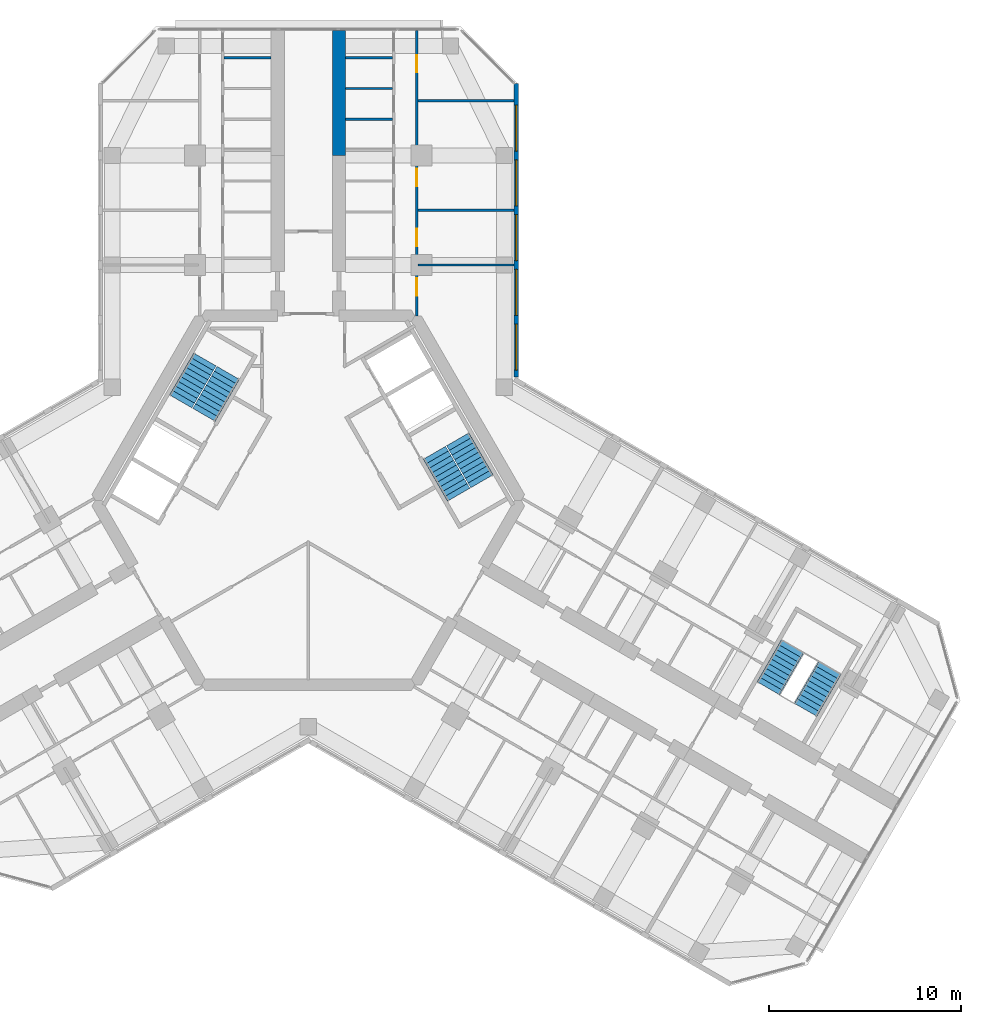
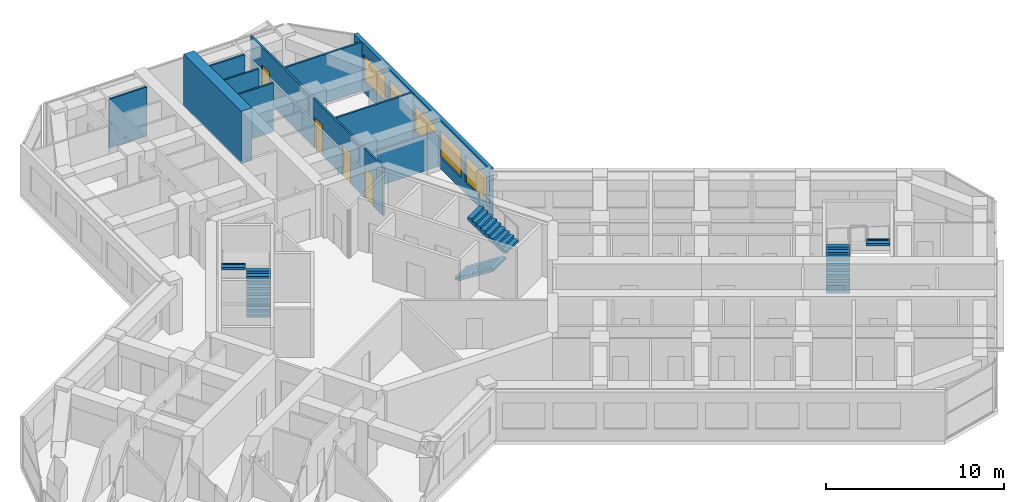
# One storey, part 15 of 16: 10 walls, 6 stair flights, 5 windows, 4 doors, 9 openings, 3 elements without a shape of their own.
"""IFC4 building model written with IfcOpenShell, lengths in metres."""

from ifc_helpers import new_model, si_unit, direction, frame, frame_2d, origin, place, context, subcontext, project, spatial, polyline, rectangle, outline, extrude, material, layer, layer_set, type_object, element, fill, aggregate, save


model = new_model("IFC4")

# Units and contexts
model_context = context("Model", 3, precision=1e-05, world=origin(), true_north=direction((0.0, 1.0)))
body_context = subcontext(model_context, "Body", "Model", "MODEL_VIEW")
ifc_project = project(units=[si_unit("LENGTHUNIT", "METRE"), si_unit("AREAUNIT", "SQUARE_METRE"), si_unit("VOLUMEUNIT", "CUBIC_METRE"), si_unit("PLANEANGLEUNIT", "RADIAN"), si_unit("MASSUNIT", "GRAM", prefix="KILO")], contexts=[model_context])

# Site, building, storey
site_placement = place(None, origin())
site = spatial("IfcSite", under=ifc_project, at=site_placement, CompositionType="ELEMENT")
building_placement = place(site_placement, origin())
building = spatial("IfcBuilding", under=site, at=building_placement, Name="Kosmar Iwan School Tower", CompositionType="ELEMENT")
storey_placement = place(building_placement, frame((0.0, 0.0, 235.199951171875)))
storey = spatial("IfcBuildingStorey", under=building, at=storey_placement, Name="L59", CompositionType="ELEMENT", Elevation=235.199951171875)

# Walls
ifc_material_1 = material(Name="Concrete C50/60", Category="concrete")
ifc_layer_1 = layer(ifc_material_1, 0.699951171875)
ifc_layer_set_1 = layer_set([ifc_layer_1], Name="Corridor buttress wall 700")
wall_type_1 = type_object("IfcWallType", Name="Corridor buttress wall 700", PredefinedType="SHEAR", material=ifc_layer_set_1)
wall_1_placement = place(storey_placement, frame((1.60009765625, 17.949951171875, 0.0), z_axis=(0.0, 0.0, 1.0), x_axis=(0.0, 1.0, 0.0)))
element("IfcWall", 1, at=wall_1_placement, inside=storey, type_object=wall_type_1, Name="Corridor wall AR bay 2", PredefinedType="SHEAR", context=body_context, shape_type="SweptSolid", body=[
    extrude(rectangle(XDim=6.4951171875, YDim=0.699951171875, at=frame_2d((3.24755859375, 0.0))), origin(), (0.0, 0.0, 1.0), 3.60009765625),
])
ifc_material_2 = material(Name="Gypsum board on steel studs", Category="steel")
ifc_layer_2 = layer(ifc_material_2, 0.1201171875)
ifc_layer_set_2 = layer_set([ifc_layer_2], Name="Dwelling partition 120")
wall_type_2 = type_object("IfcWallType", Name="Dwelling partition 120", PredefinedType="PARTITIONING", material=ifc_layer_set_2)
wall_2_placement = place(storey_placement, frame((-1.949951171875, 23.043212890625, 0.0), z_axis=(0.0, 0.0, 1.0), x_axis=(-1.0, 0.0, 0.0)))
element("IfcWall", 2, at=wall_2_placement, inside=storey, type_object=wall_type_2, Name="Partition L59-AL1-Y7", PredefinedType="PARTITIONING", context=body_context, shape_type="SweptSolid", body=[
    extrude(rectangle(XDim=2.43994140625, YDim=0.1201171875, at=frame_2d((1.219970703125, 0.0))), origin(), (0.0, 0.0, 1.0), 3.35009765625),
])

# Wall, openings, doors
wall_3_placement = place(storey_placement, frame((5.64990234375, 9.60009765625, 0.0), z_axis=(0.0, 0.0, 1.0), x_axis=(0.0, 1.0, 0.0)))
wall_3 = element("IfcWall", 3, at=wall_3_placement, inside=storey, type_object=wall_type_2, Name="Partition L59-AR1-W2", PredefinedType="PARTITIONING", context=body_context, shape_type="SweptSolid", body=[
    extrude(rectangle(XDim=14.844970703125, YDim=0.1201171875, at=frame_2d((7.42236328125, 0.0))), origin(), (0.0, 0.0, 1.0), 3.35009765625),
])
opening_1_placement = place(wall_3_placement, frame((1.050048828125, 0.0, 0.0)))
opening_1 = element("IfcOpeningElement", 4, at=opening_1_placement, cuts=wall_3, Name="Opening D2", PredefinedType="OPENING", context=body_context, shape_type="SweptSolid", body=[
    extrude(rectangle(XDim=0.89990234375, YDim=2.10009765625, at=frame_2d((0.449951171875, 1.050048828125))), frame((0.0, 0.072021484375, 0.0), z_axis=(0.0, -1.0, 0.0), x_axis=(1.0, 0.0, 0.0)), (0.0, 0.0, 1.0), 0.14404296875),
])
opening_2_placement = place(wall_3_placement, frame((3.625, 0.0, 0.0)))
opening_2 = element("IfcOpeningElement", 5, at=opening_2_placement, cuts=wall_3, Name="Opening D2", PredefinedType="OPENING", context=body_context, shape_type="SweptSolid", body=[
    extrude(rectangle(XDim=0.89990234375, YDim=2.10009765625, at=frame_2d((0.449951171875, 1.050048828125))), frame((0.0, 0.072021484375, 0.0), z_axis=(0.0, -1.0, 0.0), x_axis=(1.0, 0.0, 0.0)), (0.0, 0.0, 1.0), 0.14404296875),
])
opening_3_placement = place(wall_3_placement, frame((6.75, 0.0, 0.0)))
opening_3 = element("IfcOpeningElement", 6, at=opening_3_placement, cuts=wall_3, Name="Opening D2", PredefinedType="OPENING", context=body_context, shape_type="SweptSolid", body=[
    extrude(rectangle(XDim=0.89990234375, YDim=2.10009765625, at=frame_2d((0.449951171875, 1.050048828125))), frame((0.0, 0.072021484375, 0.0), z_axis=(0.0, -1.0, 0.0), x_axis=(1.0, 0.0, 0.0)), (0.0, 0.0, 1.0), 0.14404296875),
])
opening_4_placement = place(wall_3_placement, frame((12.675048828125, 0.0, 0.0)))
opening_4 = element("IfcOpeningElement", 7, at=opening_4_placement, cuts=wall_3, Name="Opening D2", PredefinedType="OPENING", context=body_context, shape_type="SweptSolid", body=[
    extrude(rectangle(XDim=0.89990234375, YDim=2.10009765625, at=frame_2d((0.449951171875, 1.050048828125))), frame((0.0, 0.072021484375, 0.0), z_axis=(0.0, -1.0, 0.0), x_axis=(1.0, 0.0, 0.0)), (0.0, 0.0, 1.0), 0.14404296875),
])
ifc_material_3 = material(Name="Timber door in timber frame", Category="wood")
door_type = type_object("IfcDoorType", Name="Internal door 900x2100", OperationType="SINGLE_SWING_LEFT", PredefinedType="DOOR", material=ifc_material_3)
door_1_placement = place(opening_1_placement, origin())
door_1 = element("IfcDoor", 8, at=door_1_placement, inside=storey, type_object=door_type, Name="Bedroom 1 door L59-AR1-F1", OperationType="SINGLE_SWING_LEFT", OverallHeight=2.10009765625, OverallWidth=0.89990234375, PredefinedType="DOOR", context=body_context, shape_type="SweptSolid", body=[
    extrude(rectangle(XDim=0.89990234375, YDim=2.10009765625, at=frame_2d((0.449951171875, 1.050048828125))), frame((0.0, 0.02490234375, 0.0), z_axis=(0.0, -1.0, 0.0), x_axis=(1.0, 0.0, 0.0)), (0.0, 0.0, 1.0), 0.050048828125),
])
fill(opening_1, door_1)
door_2_placement = place(opening_2_placement, origin())
door_2 = element("IfcDoor", 9, at=door_2_placement, inside=storey, type_object=door_type, Name="Study door L59-AR1-F2", OperationType="SINGLE_SWING_LEFT", OverallHeight=2.10009765625, OverallWidth=0.89990234375, PredefinedType="DOOR", context=body_context, shape_type="SweptSolid", body=[
    extrude(rectangle(XDim=0.89990234375, YDim=2.10009765625, at=frame_2d((0.449951171875, 1.050048828125))), frame((0.0, 0.02490234375, 0.0), z_axis=(0.0, -1.0, 0.0), x_axis=(1.0, 0.0, 0.0)), (0.0, 0.0, 1.0), 0.050048828125),
])
fill(opening_2, door_2)
door_3_placement = place(opening_3_placement, origin())
door_3 = element("IfcDoor", 10, at=door_3_placement, inside=storey, type_object=door_type, Name="Living room and kitchen door L59-AR1-F3", OperationType="SINGLE_SWING_LEFT", OverallHeight=2.10009765625, OverallWidth=0.89990234375, PredefinedType="DOOR", context=body_context, shape_type="SweptSolid", body=[
    extrude(rectangle(XDim=0.89990234375, YDim=2.10009765625, at=frame_2d((0.449951171875, 1.050048828125))), frame((0.0, 0.02490234375, 0.0), z_axis=(0.0, -1.0, 0.0), x_axis=(1.0, 0.0, 0.0)), (0.0, 0.0, 1.0), 0.050048828125),
])
fill(opening_3, door_3)
door_4_placement = place(opening_4_placement, origin())
door_4 = element("IfcDoor", 11, at=door_4_placement, inside=storey, type_object=door_type, Name="Grandparents' suite door L59-AR1-F4", OperationType="SINGLE_SWING_RIGHT", OverallHeight=2.10009765625, OverallWidth=0.89990234375, PredefinedType="DOOR", context=body_context, shape_type="SweptSolid", body=[
    extrude(rectangle(XDim=0.89990234375, YDim=2.10009765625, at=frame_2d((0.449951171875, 1.050048828125))), frame((0.0, 0.02490234375, 0.0), z_axis=(0.0, -1.0, 0.0), x_axis=(1.0, 0.0, 0.0)), (0.0, 0.0, 1.0), 0.050048828125),
])
fill(opening_4, door_4)

# Walls
wall_4_placement = place(storey_placement, frame((5.7099609375, 12.25, 0.0), z_axis=(0.0, 0.0, 1.0), x_axis=(1.0, 0.0, 0.0)))
element("IfcWall", 12, at=wall_4_placement, inside=storey, type_object=wall_type_2, Name="Partition L59-AR1-X1", PredefinedType="PARTITIONING", context=body_context, shape_type="SweptSolid", body=[
    extrude(rectangle(XDim=4.989990234375, YDim=0.1201171875, at=frame_2d((2.4951171875, 0.0))), origin(), (0.0, 0.0, 1.0), 2.449951171875),
])
for number, where, z_axis, x_axis, name in (
    (13, (5.7099609375, 15.10009765625, 0.0), (0.0, 0.0, 1.0), (1.0, 0.0, 0.0), "Partition L59-AR1-X2"),
    (14, (5.7099609375, 20.800048828125, 0.0), (0.0, 0.0, 1.0), (1.0, 0.0, 0.0), "Partition L59-AR1-X3"),
):
    element("IfcWall", number, at=place(storey_placement, frame(where, z_axis=z_axis, x_axis=x_axis)), inside=storey, type_object=wall_type_2, Name=name, PredefinedType="PARTITIONING", context=body_context, shape_type="SweptSolid", body=[
        extrude(rectangle(XDim=4.989990234375, YDim=0.1201171875, at=frame_2d((2.4951171875, 0.0))), origin(), (0.0, 0.0, 1.0), 3.35009765625),
    ])
for number, where, z_axis, x_axis, name in (
    (15, (1.949951171875, 19.830078125, 0.0), (0.0, 0.0, 1.0), (1.0, 0.0, 0.0), "Partition L59-AR1-Y5"),
    (16, (1.949951171875, 21.436767578125, 0.0), (0.0, 0.0, 1.0), (1.0, 0.0, 0.0), "Partition L59-AR1-Y6"),
    (17, (1.949951171875, 23.043212890625, 0.0), (0.0, 0.0, 1.0), (1.0, 0.0, 0.0), "Partition L59-AR1-Y7"),
):
    element("IfcWall", number, at=place(storey_placement, frame(where, z_axis=z_axis, x_axis=x_axis)), inside=storey, type_object=wall_type_2, Name=name, PredefinedType="PARTITIONING", context=body_context, shape_type="SweptSolid", body=[
        extrude(rectangle(XDim=2.43994140625, YDim=0.1201171875, at=frame_2d((1.219970703125, 0.0))), origin(), (0.0, 0.0, 1.0), 3.35009765625),
    ])

# Wall, openings, windows
ifc_material_4 = material(Name="Black aluminium rainscreen on insulated framing", Category="aluminium")
ifc_layer_3 = layer(ifc_material_4, 0.25)
ifc_layer_set_3 = layer_set([ifc_layer_3], Name="External wall rainscreen 250")
wall_type_3 = type_object("IfcWallType", Name="External wall rainscreen 250", PredefinedType="SOLIDWALL", material=ifc_layer_set_3)
wall_5_placement = place(storey_placement, frame((10.824951171875, 6.408935546875, 0.0), z_axis=(0.0, 0.0, 1.0), x_axis=(0.0, 1.0, 0.0)))
wall_5 = element("IfcWall", 18, at=wall_5_placement, inside=storey, type_object=wall_type_3, Name="External wall AR L59", PredefinedType="SOLIDWALL", context=body_context, shape_type="SweptSolid", body=[
    extrude(rectangle(XDim=15.2763671875, YDim=0.25, at=frame_2d((7.63818359375, 0.0))), origin(), (0.0, 0.0, 1.0), 3.35009765625),
])
opening_5_placement = place(wall_5_placement, frame((0.365966796875, 0.0, 0.800048828125)))
opening_5 = element("IfcOpeningElement", 19, at=opening_5_placement, cuts=wall_5, Name="Opening W5", PredefinedType="OPENING", context=body_context, shape_type="SweptSolid", body=[
    extrude(rectangle(XDim=2.39990234375, YDim=1.800048828125, at=frame_2d((1.199951171875, 0.89990234375))), frame((0.0, 0.136962890625, 0.0), z_axis=(0.0, -1.0, 0.0), x_axis=(1.0, 0.0, 0.0)), (0.0, 0.0, 1.0), 0.27392578125),
])
opening_6_placement = place(wall_5_placement, frame((3.216064453125, 0.0, 0.800048828125)))
opening_6 = element("IfcOpeningElement", 20, at=opening_6_placement, cuts=wall_5, Name="Opening W5", PredefinedType="OPENING", context=body_context, shape_type="SweptSolid", body=[
    extrude(rectangle(XDim=2.39990234375, YDim=1.800048828125, at=frame_2d((1.199951171875, 0.89990234375))), frame((0.0, 0.136962890625, 0.0), z_axis=(0.0, -1.0, 0.0), x_axis=(1.0, 0.0, 0.0)), (0.0, 0.0, 1.0), 0.27392578125),
])
opening_7_placement = place(wall_5_placement, frame((6.06591796875, 0.0, 0.800048828125)))
opening_7 = element("IfcOpeningElement", 21, at=opening_7_placement, cuts=wall_5, Name="Opening W5", PredefinedType="OPENING", context=body_context, shape_type="SweptSolid", body=[
    extrude(rectangle(XDim=2.39990234375, YDim=1.800048828125, at=frame_2d((1.199951171875, 0.89990234375))), frame((0.0, 0.136962890625, 0.0), z_axis=(0.0, -1.0, 0.0), x_axis=(1.0, 0.0, 0.0)), (0.0, 0.0, 1.0), 0.27392578125),
])
opening_8_placement = place(wall_5_placement, frame((8.916015625, 0.0, 0.800048828125)))
opening_8 = element("IfcOpeningElement", 22, at=opening_8_placement, cuts=wall_5, Name="Opening W5", PredefinedType="OPENING", context=body_context, shape_type="SweptSolid", body=[
    extrude(rectangle(XDim=2.39990234375, YDim=1.800048828125, at=frame_2d((1.199951171875, 0.89990234375))), frame((0.0, 0.136962890625, 0.0), z_axis=(0.0, -1.0, 0.0), x_axis=(1.0, 0.0, 0.0)), (0.0, 0.0, 1.0), 0.27392578125),
])
opening_9_placement = place(wall_5_placement, frame((11.76611328125, 0.0, 0.800048828125)))
opening_9 = element("IfcOpeningElement", 23, at=opening_9_placement, cuts=wall_5, Name="Opening W5", PredefinedType="OPENING", context=body_context, shape_type="SweptSolid", body=[
    extrude(rectangle(XDim=2.39990234375, YDim=1.800048828125, at=frame_2d((1.199951171875, 0.89990234375))), frame((0.0, 0.136962890625, 0.0), z_axis=(0.0, -1.0, 0.0), x_axis=(1.0, 0.0, 0.0)), (0.0, 0.0, 1.0), 0.27392578125),
])
ifc_material_5 = material(Name="Black aluminium frame with dark triple glazing", Category="aluminium")
window_type = type_object("IfcWindowType", Name="Window 2400x1800", PartitioningType="SINGLE_PANEL", PredefinedType="WINDOW", material=ifc_material_5)
window_1_placement = place(opening_5_placement, origin())
window_1 = element("IfcWindow", 24, at=window_1_placement, inside=storey, type_object=window_type, Name="Window AR L59 -1", OverallHeight=1.800048828125, OverallWidth=2.39990234375, PartitioningType="SINGLE_PANEL", PredefinedType="WINDOW", context=body_context, shape_type="SweptSolid", body=[
    extrude(rectangle(XDim=2.39990234375, YDim=1.800048828125, at=frame_2d((1.199951171875, 0.89990234375))), frame((0.0, 0.030029296875, 0.0), z_axis=(0.0, -1.0, 0.0), x_axis=(1.0, 0.0, 0.0)), (0.0, 0.0, 1.0), 0.06005859375),
])
fill(opening_5, window_1)
window_2_placement = place(opening_6_placement, origin())
window_2 = element("IfcWindow", 25, at=window_2_placement, inside=storey, type_object=window_type, Name="Window AR L59 0", OverallHeight=1.800048828125, OverallWidth=2.39990234375, PartitioningType="SINGLE_PANEL", PredefinedType="WINDOW", context=body_context, shape_type="SweptSolid", body=[
    extrude(rectangle(XDim=2.39990234375, YDim=1.800048828125, at=frame_2d((1.199951171875, 0.89990234375))), frame((0.0, 0.030029296875, 0.0), z_axis=(0.0, -1.0, 0.0), x_axis=(1.0, 0.0, 0.0)), (0.0, 0.0, 1.0), 0.06005859375),
])
fill(opening_6, window_2)
window_3_placement = place(opening_7_placement, origin())
window_3 = element("IfcWindow", 26, at=window_3_placement, inside=storey, type_object=window_type, Name="Window AR L59 1", OverallHeight=1.800048828125, OverallWidth=2.39990234375, PartitioningType="SINGLE_PANEL", PredefinedType="WINDOW", context=body_context, shape_type="SweptSolid", body=[
    extrude(rectangle(XDim=2.39990234375, YDim=1.800048828125, at=frame_2d((1.199951171875, 0.89990234375))), frame((0.0, 0.030029296875, 0.0), z_axis=(0.0, -1.0, 0.0), x_axis=(1.0, 0.0, 0.0)), (0.0, 0.0, 1.0), 0.06005859375),
])
fill(opening_7, window_3)
window_4_placement = place(opening_8_placement, origin())
window_4 = element("IfcWindow", 27, at=window_4_placement, inside=storey, type_object=window_type, Name="Window AR L59 2", OverallHeight=1.800048828125, OverallWidth=2.39990234375, PartitioningType="SINGLE_PANEL", PredefinedType="WINDOW", context=body_context, shape_type="SweptSolid", body=[
    extrude(rectangle(XDim=2.39990234375, YDim=1.800048828125, at=frame_2d((1.199951171875, 0.89990234375))), frame((0.0, 0.030029296875, 0.0), z_axis=(0.0, -1.0, 0.0), x_axis=(1.0, 0.0, 0.0)), (0.0, 0.0, 1.0), 0.06005859375),
])
fill(opening_8, window_4)
window_5_placement = place(opening_9_placement, origin())
window_5 = element("IfcWindow", 28, at=window_5_placement, inside=storey, type_object=window_type, Name="Window AR L59 3", OverallHeight=1.800048828125, OverallWidth=2.39990234375, PartitioningType="SINGLE_PANEL", PredefinedType="WINDOW", context=body_context, shape_type="SweptSolid", body=[
    extrude(rectangle(XDim=2.39990234375, YDim=1.800048828125, at=frame_2d((1.199951171875, 0.89990234375))), frame((0.0, 0.030029296875, 0.0), z_axis=(0.0, -1.0, 0.0), x_axis=(1.0, 0.0, 0.0)), (0.0, 0.0, 1.0), 0.06005859375),
])
fill(opening_9, window_5)

# Stair, stair flights
ifc_material_6 = material(Name="Concrete C35/45", Category="concrete")
stair_type_1 = type_object("IfcStairType", Name="Escape stair 3600", PredefinedType="HALF_TURN_STAIR", material=ifc_material_6)
stair_1_placement = place(storey_placement, origin())
stair_1 = element("IfcStair", 29, at=stair_1_placement, inside=storey, type_object=stair_type_1, Name="Stair WS3 L59", PredefinedType="HALF_TURN_STAIR")
ifc_material_7 = material(Name="Concrete C35/45", Category="concrete")
stair_flight_type_1 = type_object("IfcStairFlightType", Name="Escape stair flight 1350", PredefinedType="STRAIGHT", material=ifc_material_7)
stair_flight_1_placement = place(storey_placement, frame((23.94189453125, -9.781494140625, 0.0), z_axis=(0.0, 0.0, 1.0), x_axis=(0.5, 0.866025403784, 0.0)))
stair_flight_1 = element("IfcStairFlight", 30, at=stair_flight_1_placement, type_object=stair_flight_type_1, Name="WS3 flight 1", NumberOfRisers=10, NumberOfTreads=9, PredefinedType="STRAIGHT", RiserHeight=0.18, TreadLength=0.28, context=body_context, shape_type="SweptSolid", body=[
    extrude(outline(polyline([(0.0, 0.0), (0.0, 0.179931640625), (0.280029296875, 0.179931640625), (0.280029296875, 0.360107421875), (0.56005859375, 0.360107421875), (0.56005859375, 0.5400390625), (0.840087890625, 0.5400390625), (0.840087890625, 0.719970703125), (1.1201171875, 0.719970703125), (1.1201171875, 0.89990234375), (1.39990234375, 0.89990234375), (1.39990234375, 1.080078125), (1.679931640625, 1.080078125), (1.679931640625, 1.260009765625), (1.9599609375, 1.260009765625), (1.9599609375, 1.43994140625), (2.239990234375, 1.43994140625), (2.239990234375, 1.6201171875), (2.52001953125, 1.6201171875), (2.52001953125, 1.800048828125), (2.52001953125, 1.44189453125), (0.277099609375, 0.0), (0.0, 0.0)])), frame((0.0, 0.675048828125, 0.0), z_axis=(0.0, -1.0, 0.0), x_axis=(1.0, 0.0, 0.0)), (0.0, 0.0, 1.0), 1.35009765625),
])
stair_flight_2_placement = place(storey_placement, frame((27.150390625, -8.72412109375, 1.800048828125), z_axis=(0.0, 0.0, 1.0), x_axis=(-0.5, -0.866025403784, 0.0)))
stair_flight_2 = element("IfcStairFlight", 31, at=stair_flight_2_placement, type_object=stair_flight_type_1, Name="WS3 flight 2", NumberOfRisers=10, NumberOfTreads=9, PredefinedType="STRAIGHT", RiserHeight=0.18, TreadLength=0.28, context=body_context, shape_type="SweptSolid", body=[
    extrude(outline(polyline([(0.0, 0.0), (0.0, 0.179931640625), (0.280029296875, 0.179931640625), (0.280029296875, 0.360107421875), (0.56005859375, 0.360107421875), (0.56005859375, 0.5400390625), (0.840087890625, 0.5400390625), (0.840087890625, 0.719970703125), (1.1201171875, 0.719970703125), (1.1201171875, 0.89990234375), (1.39990234375, 0.89990234375), (1.39990234375, 1.080078125), (1.679931640625, 1.080078125), (1.679931640625, 1.260009765625), (1.9599609375, 1.260009765625), (1.9599609375, 1.43994140625), (2.239990234375, 1.43994140625), (2.239990234375, 1.6201171875), (2.52001953125, 1.6201171875), (2.52001953125, 1.800048828125), (2.52001953125, 1.44189453125), (0.277099609375, 0.0), (0.0, 0.0)])), frame((0.0, 0.675048828125, 0.0), z_axis=(0.0, -1.0, 0.0), x_axis=(1.0, 0.0, 0.0)), (0.0, 0.0, 1.0), 1.35009765625),
])
aggregate(stair_1, [stair_flight_1, stair_flight_2])

ifc_material_8 = material(Name="Concrete C35/45", Category="concrete")
stair_type_2 = type_object("IfcStairType", Name="Core stair 2750", PredefinedType="HALF_TURN_STAIR", material=ifc_material_8)
stair_2_placement = place(storey_placement, origin())
stair_2 = element("IfcStair", 32, at=stair_2_placement, inside=storey, type_object=stair_type_2, Name="Stair ST2 L59", PredefinedType="HALF_TURN_STAIR")
ifc_material_9 = material(Name="Concrete C35/45", Category="concrete")
stair_flight_type_2 = type_object("IfcStairFlightType", Name="Stair flight 1350", PredefinedType="STRAIGHT", material=ifc_material_9)
stair_flight_3_placement = place(storey_placement, frame((-5.42724609375, 4.44970703125, 0.0), z_axis=(0.0, 0.0, 1.0), x_axis=(0.5, 0.866025403784, 0.0)))
stair_flight_3 = element("IfcStairFlight", 33, at=stair_flight_3_placement, type_object=stair_flight_type_2, Name="ST2 flight 1", NumberOfRisers=10, NumberOfTreads=9, PredefinedType="STRAIGHT", RiserHeight=0.18, TreadLength=0.28, context=body_context, shape_type="SweptSolid", body=[
    extrude(outline(polyline([(0.0, 0.0), (0.0, 0.179931640625), (0.280029296875, 0.179931640625), (0.280029296875, 0.360107421875), (0.56005859375, 0.360107421875), (0.56005859375, 0.5400390625), (0.840087890625, 0.5400390625), (0.840087890625, 0.719970703125), (1.1201171875, 0.719970703125), (1.1201171875, 0.89990234375), (1.39990234375, 0.89990234375), (1.39990234375, 1.080078125), (1.679931640625, 1.080078125), (1.679931640625, 1.260009765625), (1.9599609375, 1.260009765625), (1.9599609375, 1.43994140625), (2.239990234375, 1.43994140625), (2.239990234375, 1.6201171875), (2.52001953125, 1.6201171875), (2.52001953125, 1.800048828125), (2.52001953125, 1.44189453125), (0.277099609375, 0.0), (0.0, 0.0)])), frame((0.0, 0.675048828125, 0.0), z_axis=(0.0, -1.0, 0.0), x_axis=(1.0, 0.0, 0.0)), (0.0, 0.0, 1.0), 1.35009765625),
])
stair_flight_4_placement = place(storey_placement, frame((-5.379638671875, 7.33203125, 1.800048828125), z_axis=(0.0, 0.0, 1.0), x_axis=(-0.5, -0.866025403784, 0.0)))
stair_flight_4 = element("IfcStairFlight", 34, at=stair_flight_4_placement, type_object=stair_flight_type_2, Name="ST2 flight 2", NumberOfRisers=10, NumberOfTreads=9, PredefinedType="STRAIGHT", RiserHeight=0.18, TreadLength=0.28, context=body_context, shape_type="SweptSolid", body=[
    extrude(outline(polyline([(0.0, 0.0), (0.0, 0.179931640625), (0.280029296875, 0.179931640625), (0.280029296875, 0.360107421875), (0.56005859375, 0.360107421875), (0.56005859375, 0.5400390625), (0.840087890625, 0.5400390625), (0.840087890625, 0.719970703125), (1.1201171875, 0.719970703125), (1.1201171875, 0.89990234375), (1.39990234375, 0.89990234375), (1.39990234375, 1.080078125), (1.679931640625, 1.080078125), (1.679931640625, 1.260009765625), (1.9599609375, 1.260009765625), (1.9599609375, 1.43994140625), (2.239990234375, 1.43994140625), (2.239990234375, 1.6201171875), (2.52001953125, 1.6201171875), (2.52001953125, 1.800048828125), (2.52001953125, 1.44189453125), (0.277099609375, 0.0), (0.0, 0.0)])), frame((0.0, 0.675048828125, 0.0), z_axis=(0.0, -1.0, 0.0), x_axis=(1.0, 0.0, 0.0)), (0.0, 0.0, 1.0), 1.35009765625),
])
aggregate(stair_2, [stair_flight_3, stair_flight_4])

stair_3_placement = place(storey_placement, origin())
stair_3 = element("IfcStair", 35, at=stair_3_placement, inside=storey, type_object=stair_type_2, Name="Stair ST1 L59", PredefinedType="HALF_TURN_STAIR")
stair_flight_5_placement = place(storey_placement, frame((6.567138671875, 2.475341796875, 0.0), z_axis=(0.0, 0.0, 1.0), x_axis=(0.5, -0.866025403784, 0.0)))
stair_flight_5 = element("IfcStairFlight", 36, at=stair_flight_5_placement, type_object=stair_flight_type_2, Name="ST1 flight 1", NumberOfRisers=10, NumberOfTreads=9, PredefinedType="STRAIGHT", RiserHeight=0.18, TreadLength=0.28, context=body_context, shape_type="SweptSolid", body=[
    extrude(outline(polyline([(0.0, 0.0), (0.0, 0.179931640625), (0.280029296875, 0.179931640625), (0.280029296875, 0.360107421875), (0.56005859375, 0.360107421875), (0.56005859375, 0.5400390625), (0.840087890625, 0.5400390625), (0.840087890625, 0.719970703125), (1.1201171875, 0.719970703125), (1.1201171875, 0.89990234375), (1.39990234375, 0.89990234375), (1.39990234375, 1.080078125), (1.679931640625, 1.080078125), (1.679931640625, 1.260009765625), (1.9599609375, 1.260009765625), (1.9599609375, 1.43994140625), (2.239990234375, 1.43994140625), (2.239990234375, 1.6201171875), (2.52001953125, 1.6201171875), (2.52001953125, 1.800048828125), (2.52001953125, 1.44189453125), (0.277099609375, 0.0), (0.0, 0.0)])), frame((0.0, 0.675048828125, 0.0), z_axis=(0.0, -1.0, 0.0), x_axis=(1.0, 0.0, 0.0)), (0.0, 0.0, 1.0), 1.35009765625),
])
stair_flight_6_placement = place(storey_placement, frame((9.03955078125, 0.992919921875, 1.800048828125), z_axis=(0.0, 0.0, 1.0), x_axis=(-0.5, 0.866025403784, 0.0)))
stair_flight_6 = element("IfcStairFlight", 37, at=stair_flight_6_placement, type_object=stair_flight_type_2, Name="ST1 flight 2", NumberOfRisers=10, NumberOfTreads=9, PredefinedType="STRAIGHT", RiserHeight=0.18, TreadLength=0.28, context=body_context, shape_type="SweptSolid", body=[
    extrude(outline(polyline([(0.0, 0.0), (0.0, 0.179931640625), (0.280029296875, 0.179931640625), (0.280029296875, 0.360107421875), (0.56005859375, 0.360107421875), (0.56005859375, 0.5400390625), (0.840087890625, 0.5400390625), (0.840087890625, 0.719970703125), (1.1201171875, 0.719970703125), (1.1201171875, 0.89990234375), (1.39990234375, 0.89990234375), (1.39990234375, 1.080078125), (1.679931640625, 1.080078125), (1.679931640625, 1.260009765625), (1.9599609375, 1.260009765625), (1.9599609375, 1.43994140625), (2.239990234375, 1.43994140625), (2.239990234375, 1.6201171875), (2.52001953125, 1.6201171875), (2.52001953125, 1.800048828125), (2.52001953125, 1.44189453125), (0.277099609375, 0.0), (0.0, 0.0)])), frame((0.0, 0.675048828125, 0.0), z_axis=(0.0, -1.0, 0.0), x_axis=(1.0, 0.0, 0.0)), (0.0, 0.0, 1.0), 1.35009765625),
])
aggregate(stair_3, [stair_flight_5, stair_flight_6])

save(model, "model.ifc")
